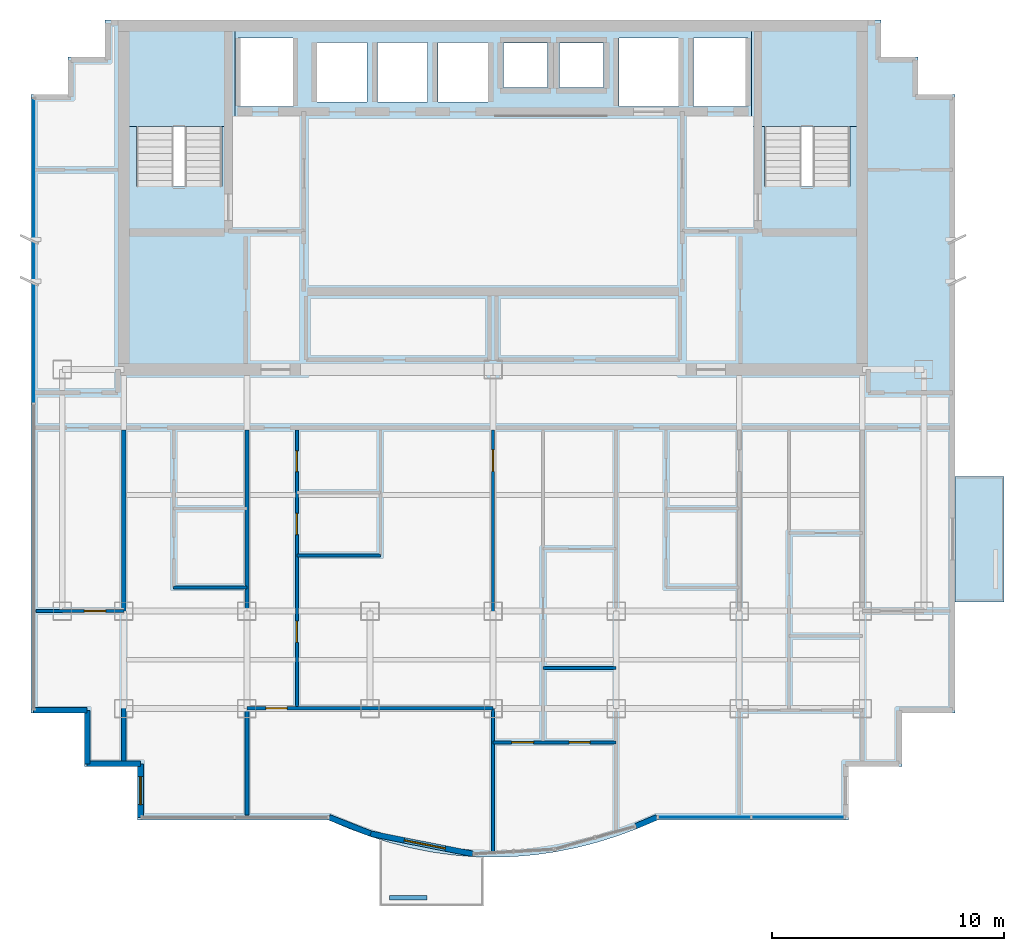
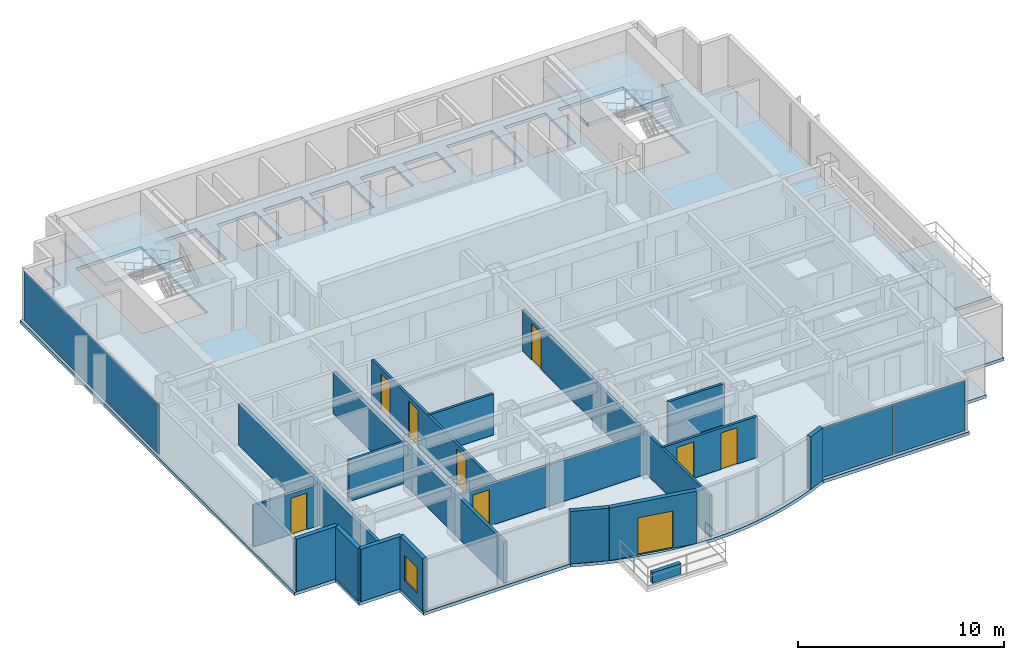
# One storey, part 6 of 11: 18 walls, 9 doors, 4 slabs, 3 plates, 1 window, 10 openings, 4 elements without a shape of their own.
"""IFC4 building model written with IfcOpenShell, lengths in metres."""

from ifc_helpers import new_model, si_unit, direction, frame, frame_2d, origin, origin_2d, place, context, subcontext, project, spatial, polyline, rectangle, outline, extrude, source, transform, mapped, material, layer, layer_set, type_object, element, fill, aggregate, save


model = new_model("IFC4")

# Units and contexts
model_context = context("Model", 3, precision=1e-05, world=origin(), true_north=direction((0.0, 1.0)))
body_context = subcontext(model_context, "Body", "Model", "MODEL_VIEW")
ifc_project = project(units=[si_unit("LENGTHUNIT", "METRE"), si_unit("AREAUNIT", "SQUARE_METRE"), si_unit("VOLUMEUNIT", "CUBIC_METRE"), si_unit("PLANEANGLEUNIT", "RADIAN"), si_unit("MASSUNIT", "GRAM", prefix="KILO")], contexts=[model_context])

# Site, building, storey
site_placement = place(None, origin())
site = spatial("IfcSite", under=ifc_project, at=site_placement, CompositionType="ELEMENT")
building_placement = place(site_placement, origin())
building = spatial("IfcBuilding", under=site, at=building_placement, Name="Qianlan Lanfeng Residences", CompositionType="ELEMENT")
storey_placement = place(building_placement, frame((0.0, 0.0, 206.60009765625)))
storey = spatial("IfcBuildingStorey", under=building, at=storey_placement, Name="L56", CompositionType="ELEMENT", Elevation=206.60009765625)

# Slabs
ifc_material_1 = material(Name="Concrete C42", Category="concrete")
ifc_layer_1 = layer(ifc_material_1, 0.199951171875)
ifc_layer_set_1 = layer_set([ifc_layer_1], Name="Concrete C42")
slab_type_1 = type_object("IfcSlabType", Name="S-BAL-200", PredefinedType="FLOOR", material=ifc_layer_set_1)
slab_1_placement = place(storey_placement, frame((0.0, 0.0, -0.2001953125)))
element("IfcSlab", 1, at=slab_1_placement, inside=storey, type_object=slab_type_1, Name="L56 Planted Tree Balcony Slab EB-S", PredefinedType="FLOOR", context=body_context, shape_type="SweptSolid", body=[
    extrude(outline(polyline([(46.39990234375, 20.60009765625), (46.39990234375, 15.199951171875), (48.5, 15.199951171875), (48.5, 20.60009765625), (46.39990234375, 20.60009765625)])), origin(), (0.0, 0.0, 1.0), 0.2001953125),
])
ifc_layer_2 = layer(ifc_material_1, 0.18994140625)
ifc_layer_set_2 = layer_set([ifc_layer_2], Name="Concrete C42")
slab_type_2 = type_object("IfcSlabType", Name="S-FL-190", PredefinedType="FLOOR", material=ifc_layer_set_2)
slab_2_placement = place(storey_placement, frame((0.0, 0.0, -0.190185546875)))
element("IfcSlab", 2, at=slab_2_placement, inside=storey, type_object=slab_type_2, Name="L56 Structural Floor Slab", PredefinedType="FLOOR", context=body_context, shape_type="SweptSolid", body=[
    extrude(outline(polyline([(6.60009765625, 10.39990234375), (8.89990234375, 10.39990234375), (8.89990234375, 8.10009765625), (11.199951171875, 8.10009765625), (11.199951171875, 5.800048828125), (19.419921875, 5.800048828125), (20.304931640625, 5.425048828125), (21.18994140625, 5.10009765625), (22.074951171875, 4.824951171875), (22.9599609375, 4.60009765625), (23.844970703125, 4.425048828125), (24.72998046875, 4.300048828125), (25.614990234375, 4.22509765625), (26.5, 4.199951171875), (27.385009765625, 4.22509765625), (28.27001953125, 4.300048828125), (29.155029296875, 4.425048828125), (30.0400390625, 4.60009765625), (30.925048828125, 4.824951171875), (31.81005859375, 5.10009765625), (32.695068359375, 5.425048828125), (33.580078125, 5.800048828125), (41.800048828125, 5.800048828125), (41.800048828125, 8.10009765625), (44.10009765625, 8.10009765625), (44.10009765625, 10.39990234375), (46.39990234375, 10.39990234375), (46.39990234375, 37.050048828125), (44.800048828125, 37.050048828125), (44.800048828125, 38.64990234375), (43.199951171875, 38.64990234375), (43.199951171875, 40.25), (9.800048828125, 40.25), (9.800048828125, 38.64990234375), (8.199951171875, 38.64990234375), (8.199951171875, 37.050048828125), (6.60009765625, 37.050048828125), (6.60009765625, 10.39990234375)]), holes=[polyline([(11.139892578125, 33.080078125), (11.139892578125, 39.5), (14.820068359375, 39.5), (14.820068359375, 33.080078125), (11.139892578125, 33.080078125)]), polyline([(38.179931640625, 33.080078125), (38.179931640625, 39.5), (41.860107421875, 39.5), (41.860107421875, 33.080078125), (38.179931640625, 33.080078125)]), polyline([(15.52001953125, 36.52001953125), (15.52001953125, 39.47998046875), (17.8798828125, 39.47998046875), (17.8798828125, 36.52001953125), (15.52001953125, 36.52001953125)]), polyline([(35.1201171875, 36.52001953125), (35.1201171875, 39.47998046875), (37.47998046875, 39.47998046875), (37.47998046875, 36.52001953125), (35.1201171875, 36.52001953125)]), polyline([(31.919921875, 36.52001953125), (31.919921875, 39.47998046875), (34.47998046875, 39.47998046875), (34.47998046875, 36.52001953125), (31.919921875, 36.52001953125)]), polyline([(18.919921875, 36.719970703125), (18.919921875, 39.280029296875), (21.080078125, 39.280029296875), (21.080078125, 36.719970703125), (18.919921875, 36.719970703125)]), polyline([(21.52001953125, 36.719970703125), (21.52001953125, 39.280029296875), (23.679931640625, 39.280029296875), (23.679931640625, 36.719970703125), (21.52001953125, 36.719970703125)]), polyline([(24.1201171875, 36.719970703125), (24.1201171875, 39.280029296875), (26.280029296875, 39.280029296875), (26.280029296875, 36.719970703125), (24.1201171875, 36.719970703125)]), polyline([(26.949951171875, 37.35009765625), (26.949951171875, 39.25), (28.85009765625, 39.25), (28.85009765625, 37.35009765625), (26.949951171875, 37.35009765625)]), polyline([(29.35009765625, 37.35009765625), (29.35009765625, 39.25), (31.25, 39.25), (31.25, 37.35009765625), (29.35009765625, 37.35009765625)])]), origin(), (0.0, 0.0, 1.0), 0.190185546875),
])

# Stair, slab
stair_type = type_object("IfcStairType", Name="STR-MAIN", PredefinedType="HALF_TURN_STAIR", material=ifc_material_1)
stair_1_placement = place(storey_placement, origin())
stair_1 = element("IfcStair", 3, at=stair_1_placement, inside=storey, type_object=stair_type, Name="L56 Exit Stair ST-1", PredefinedType="HALF_TURN_STAIR")
ifc_layer_3 = layer(ifc_material_1, 0.179931640625)
ifc_layer_set_3 = layer_set([ifc_layer_3], Name="Concrete C42")
slab_type_3 = type_object("IfcSlabType", Name="S-LND-180", PredefinedType="LANDING", material=ifc_layer_set_3)
slab_3_placement = place(storey_placement, frame((0.0, 0.0, 1.449951171875)))
slab_3 = element("IfcSlab", 4, at=slab_3_placement, type_object=slab_type_3, Name="ST-1 landing 1", PredefinedType="LANDING", context=body_context, shape_type="SweptSolid", body=[
    extrude(outline(polyline([(10.580078125, 35.659912109375), (15.3798828125, 35.659912109375), (15.3798828125, 40.050048828125), (10.580078125, 40.050048828125), (10.580078125, 35.659912109375)])), origin(), (0.0, 0.0, 1.0), 0.199951171875),
])
aggregate(stair_1, [slab_3])

stair_2_placement = place(storey_placement, origin())
stair_2 = element("IfcStair", 5, at=stair_2_placement, inside=storey, type_object=stair_type, Name="L56 Exit Stair ST-2", PredefinedType="HALF_TURN_STAIR")
slab_4_placement = place(storey_placement, frame((0.0, 0.0, 1.449951171875)))
slab_4 = element("IfcSlab", 6, at=slab_4_placement, type_object=slab_type_3, Name="ST-2 landing 1", PredefinedType="LANDING", context=body_context, shape_type="SweptSolid", body=[
    extrude(outline(polyline([(37.6201171875, 35.659912109375), (42.419921875, 35.659912109375), (42.419921875, 40.050048828125), (37.6201171875, 40.050048828125), (37.6201171875, 35.659912109375)])), origin(), (0.0, 0.0, 1.0), 0.199951171875),
])
aggregate(stair_2, [slab_4])

# Curtain wall, plate
ifc_material_2 = material(Name="Anodised Bronze Aluminium 6063-T6", Category="aluminium")
ifc_layer_4 = layer(ifc_material_2, 0.219970703125)
ifc_layer_set_4 = layer_set([ifc_layer_4], Name="Anodised Bronze Aluminium 6063-T6")
curtain_wall_type = type_object("IfcCurtainWallType", Name="CW-05", PredefinedType="NOTDEFINED", material=ifc_layer_set_4)
curtain_wall_1_placement = place(storey_placement, origin())
curtain_wall_1 = element("IfcCurtainWall", 7, at=curtain_wall_1_placement, inside=storey, type_object=curtain_wall_type, Name="L56 Unitised Curtain Wall CWR-L56-04 (CW-05)", PredefinedType="NOTDEFINED")
ifc_material_3 = material(Name="Dark Bronze Tinted Insulated Glass", Category="glass")
ifc_layer_5 = layer(ifc_material_3, 0.0380859375)
ifc_layer_set_5 = layer_set([ifc_layer_5], Name="Dark Bronze Tinted Insulated Glass")
plate_type_1 = type_object("IfcPlateType", Name="PNL-GLZ-BRZ", PredefinedType="CURTAIN_PANEL", material=ifc_layer_set_5)
shared_shape_1 = source(origin(), body_context, "Body", "SweptSolid", [
    extrude(rectangle(XDim=3.951416015625, YDim=0.0380859375, at=origin_2d()), origin(), (0.0, 0.0, 1.0), 2.9619140625),
])
plate_1_placement = place(storey_placement, frame((35.605712890625, 5.919921875, 0.073974609375), z_axis=(0.0, 0.0, 1.0), x_axis=(1.0, 0.0, 0.0)))
plate_1 = element("IfcPlate", 8, at=plate_1_placement, type_object=plate_type_1, Name="CWR-L56-04 Curtain Panel 1", PredefinedType="CURTAIN_PANEL", context=body_context, shape_type="MappedRepresentation", body=[
    mapped(shared_shape_1, transform((0.0, 0.0, 0.0), scale=1.0)),
])

curtain_wall_2_placement = place(storey_placement, origin())
curtain_wall_2 = element("IfcCurtainWall", 9, at=curtain_wall_2_placement, inside=storey, type_object=curtain_wall_type, Name="L56 Unitised Curtain Wall CWR-L56-05 (CW-05)", PredefinedType="NOTDEFINED")
shared_shape_2 = source(origin(), body_context, "Body", "SweptSolid", [
    extrude(rectangle(XDim=13.094482421875, YDim=0.0380859375, at=origin_2d()), origin(), (0.0, 0.0, 1.0), 2.9619140625),
])
plate_2_placement = place(storey_placement, frame((6.719970703125, 30.30859375, 0.073974609375), z_axis=(0.0, 0.0, 1.0), x_axis=(0.0, -1.0, 0.0)))
plate_2 = element("IfcPlate", 10, at=plate_2_placement, type_object=plate_type_1, Name="CWR-L56-05 Curtain Panel 1", PredefinedType="CURTAIN_PANEL", context=body_context, shape_type="MappedRepresentation", body=[
    mapped(shared_shape_2, transform((0.0, 0.0, 0.0), scale=1.0)),
])
aggregate(curtain_wall_2, [plate_2])

# Plate
ifc_material_4 = material(Name="Perforated Champagne Gold Aluminium Panel", Category="aluminium")
ifc_layer_6 = layer(ifc_material_4, 0.0400390625)
ifc_layer_set_6 = layer_set([ifc_layer_6], Name="Perforated Champagne Gold Aluminium Panel")
plate_type_2 = type_object("IfcPlateType", Name="PNL-PRF-GLD", PredefinedType="CURTAIN_PANEL", material=ifc_layer_set_6)
shared_shape_3 = source(origin(), body_context, "Body", "SweptSolid", [
    extrude(rectangle(XDim=3.951416015625, YDim=0.0400390625, at=origin_2d()), origin(), (0.0, 0.0, 1.0), 2.9619140625),
])
plate_3_placement = place(storey_placement, frame((39.630126953125, 5.919921875, 0.073974609375), z_axis=(0.0, 0.0, 1.0), x_axis=(1.0, 0.0, 0.0)))
plate_3 = element("IfcPlate", 11, at=plate_3_placement, type_object=plate_type_2, Name="CWR-L56-04 Curtain Panel 2", PredefinedType="CURTAIN_PANEL", context=body_context, shape_type="MappedRepresentation", body=[
    mapped(shared_shape_3, transform((0.0, 0.0, 0.0), scale=1.0)),
])

aggregate(curtain_wall_1, [plate_1, plate_3])

# Walls
ifc_layer_7 = layer(ifc_material_1, 0.239990234375)
ifc_layer_set_7 = layer_set([ifc_layer_7], Name="Concrete C42")
wall_type_1 = type_object("IfcWallType", Name="EW-240", PredefinedType="SOLIDWALL", material=ifc_layer_set_7)
for number, where, z_axis, x_axis, name in (
    (12, (6.719970703125, 10.52001953125, 0.0), (0.0, 0.0, 1.0), (1.0, 0.0, 0.0), "L56 Exterior Facade Spandrel Wall 1"),
    (13, (9.02001953125, 10.52001953125, 0.0), (0.0, 0.0, 1.0), (0.0, -1.0, 0.0), "L56 Exterior Facade Spandrel Wall 2"),
    (14, (9.02001953125, 8.219970703125, 0.0), (0.0, 0.0, 1.0), (1.0, 0.0, 0.0), "L56 Exterior Facade Spandrel Wall 3"),
):
    element("IfcWall", number, at=place(storey_placement, frame(where, z_axis=z_axis, x_axis=x_axis)), inside=storey, type_object=wall_type_1, Name=name, PredefinedType="SOLIDWALL", context=body_context, shape_type="SweptSolid", body=[
        extrude(rectangle(XDim=2.300048828125, YDim=0.239990234375, at=frame_2d((1.14990234375, 0.0))), origin(), (0.0, 0.0, 1.0), 3.10986328125),
    ])

# Wall, opening, window
wall_1_placement = place(storey_placement, frame((11.320068359375, 8.219970703125, 0.0), z_axis=(0.0, 0.0, 1.0), x_axis=(0.0, -1.0, 0.0)))
wall_1 = element("IfcWall", 15, at=wall_1_placement, inside=storey, type_object=wall_type_1, Name="L56 Exterior Facade Spandrel Wall 4", PredefinedType="SOLIDWALL", context=body_context, shape_type="SweptSolid", body=[
    extrude(rectangle(XDim=2.300048828125, YDim=0.239990234375, at=frame_2d((1.14990234375, 0.0))), origin(), (0.0, 0.0, 1.0), 3.10986328125),
])
opening_1_placement = place(wall_1_placement, frame((0.550048828125, 0.0, 0.75)))
opening_1 = element("IfcOpeningElement", 16, at=opening_1_placement, cuts=wall_1, Name="Opening W-03", PredefinedType="OPENING", context=body_context, shape_type="SweptSolid", body=[
    extrude(rectangle(XDim=1.199951171875, YDim=1.5, at=frame_2d((0.60009765625, 0.75))), frame((0.0, 0.1298828125, 0.0), z_axis=(0.0, -1.0, 0.0), x_axis=(1.0, 0.0, 0.0)), (0.0, 0.0, 1.0), 0.260009765625),
])
ifc_material_5 = material(Name="Anodised Bronze Aluminium Framed Double Glazing", Category="aluminium")
window_type = type_object("IfcWindowType", Name="W-03", PartitioningType="SINGLE_PANEL", PredefinedType="WINDOW", material=ifc_material_5)
window_placement = place(opening_1_placement, origin())
window = element("IfcWindow", 17, at=window_placement, inside=storey, type_object=window_type, Name="L56 Facade Punched Window W-03", OverallHeight=1.5, OverallWidth=1.199951171875, PartitioningType="SINGLE_PANEL", PredefinedType="WINDOW", context=body_context, shape_type="SweptSolid", body=[
    extrude(rectangle(XDim=1.199951171875, YDim=1.5, at=frame_2d((0.60009765625, 0.75))), frame((0.0, 0.030029296875, 0.0), z_axis=(0.0, -1.0, 0.0), x_axis=(1.0, 0.0, 0.0)), (0.0, 0.0, 1.0), 0.06005859375),
])
fill(opening_1, window)

# Wall
wall_2_placement = place(storey_placement, frame((19.444091796875, 5.919921875, 0.0), z_axis=(0.0, 0.0, 1.0), x_axis=(0.92993442177, -0.367725401906, 0.0)))
element("IfcWall", 18, at=wall_2_placement, inside=storey, type_object=wall_type_1, Name="L56 Exterior Facade Spandrel Wall 5", PredefinedType="SOLIDWALL", context=body_context, shape_type="SweptSolid", body=[
    extrude(rectangle(XDim=1.91943359375, YDim=0.239990234375, at=frame_2d((0.959716796875, 0.0))), origin(), (0.0, 0.0, 1.0), 3.10986328125),
])

# Wall, opening, door
wall_3_placement = place(storey_placement, frame((21.22900390625, 5.214111328125, 0.0), z_axis=(0.0, 0.0, 1.0), x_axis=(0.980985349685, -0.194081796425, 0.0)))
wall_3 = element("IfcWall", 19, at=wall_3_placement, inside=storey, type_object=wall_type_1, Name="L56 Terrace/Balcony Access Exterior Wall 6", PredefinedType="SOLIDWALL", context=body_context, shape_type="SweptSolid", body=[
    extrude(rectangle(XDim=4.478271484375, YDim=0.239990234375, at=frame_2d((2.2392578125, 0.0))), origin(), (0.0, 0.0, 1.0), 3.10986328125),
])
opening_2_placement = place(wall_3_placement, frame((1.472900390625, 0.0, 0.0)))
opening_2 = element("IfcOpeningElement", 20, at=opening_2_placement, cuts=wall_3, Name="Opening L56-D-SB-C", PredefinedType="OPENING", context=body_context, shape_type="SweptSolid", body=[
    extrude(rectangle(XDim=1.800048828125, YDim=2.199951171875, at=frame_2d((0.89990234375, 1.10009765625))), frame((0.0, 0.1298828125, 0.0), z_axis=(0.0, -1.0, 0.0), x_axis=(1.0, 0.0, 0.0)), (0.0, 0.0, 1.0), 0.260009765625),
])
ifc_material_6 = material(Name="Anodised Bronze Aluminium Framed Glass", Category="aluminium")
door_type_1 = type_object("IfcDoorType", Name="DT-BAL1", OperationType="NOTDEFINED", PredefinedType="DOOR", material=ifc_material_6)
door_1_placement = place(opening_2_placement, frame((1.800048828125, 0.0, 0.0), z_axis=(0.0, 0.0, 1.0), x_axis=(-1.0, 0.0, 0.0)))
door_1 = element("IfcDoor", 21, at=door_1_placement, inside=storey, type_object=door_type_1, Name="L56 Exterior Access Door SB-C", OperationType="DOUBLE_DOOR_SLIDING", OverallHeight=2.199951171875, OverallWidth=1.800048828125, PredefinedType="DOOR", context=body_context, shape_type="SweptSolid", body=[
    extrude(rectangle(XDim=1.800048828125, YDim=2.199951171875, at=frame_2d((0.89990234375, 1.10009765625))), frame((0.0, 0.02490234375, 0.0), z_axis=(0.0, -1.0, 0.0), x_axis=(1.0, 0.0, 0.0)), (0.0, 0.0, 1.0), 0.050048828125),
])
fill(opening_2, door_1)

# Walls
wall_4_placement = place(storey_placement, frame((32.65087890625, 5.537109375, 0.0), z_axis=(0.0, 0.0, 1.0), x_axis=(0.920998109395, 0.389567044924, 0.0)))
element("IfcWall", 22, at=wall_4_placement, inside=storey, type_object=wall_type_1, Name="L56 Exterior Facade Spandrel Wall 7", PredefinedType="SOLIDWALL", context=body_context, shape_type="SweptSolid", body=[
    extrude(rectangle(XDim=0.982666015625, YDim=0.239990234375, at=frame_2d((0.4912109375, 0.0))), origin(), (0.0, 0.0, 1.0), 3.10986328125),
])
ifc_layer_8 = layer(ifc_material_1, 0.199951171875)
ifc_layer_set_8 = layer_set([ifc_layer_8], Name="Concrete C42")
wall_type_2 = type_object("IfcWallType", Name="PL-TREE-200", PredefinedType="PARAPET", material=ifc_layer_set_8)
wall_5_placement = place(storey_placement, frame((22.050048828125, 2.449951171875, 0.0), z_axis=(0.0, 0.0, 1.0), x_axis=(1.0, 0.0, 0.0)))
element("IfcWall", 23, at=wall_5_placement, inside=storey, type_object=wall_type_2, Name="L56 Balcony Tree Planter Curb SB-C", PredefinedType="PARAPET", context=body_context, shape_type="SweptSolid", body=[
    extrude(rectangle(XDim=1.599853515625, YDim=0.199951171875, at=frame_2d((0.7998046875, 0.0))), origin(), (0.0, 0.0, 1.0), 0.64990234375),
])
ifc_material_7 = material(Name="Moisture-Resistant Gypsum Partition 135 mm")
ifc_layer_9 = layer(ifc_material_7, 0.135009765625)
ifc_layer_set_9 = layer_set([ifc_layer_9], Name="Moisture-Resistant Gypsum Partition 135 mm")
wall_type_3 = type_object("IfcWallType", Name="PW-135", PredefinedType="PARTITIONING", material=ifc_layer_set_9)
wall_6_placement = place(storey_placement, frame((12.75, 15.820068359375, 0.0), z_axis=(0.0, 0.0, 1.0), x_axis=(1.0, 0.0, 0.0)))
element("IfcWall", 24, at=wall_6_placement, inside=storey, type_object=wall_type_3, Name="L56 U01 Kitchen South Wall", PredefinedType="PARTITIONING", context=body_context, shape_type="SweptSolid", body=[
    extrude(rectangle(XDim=3.14990234375, YDim=0.135009765625, at=frame_2d((1.574951171875, 0.0))), origin(), (0.0, 0.0, 1.0), 2.429931640625),
])

# Wall, opening, door
wall_7_placement = place(storey_placement, frame((26.5, 4.419921875, 0.0), z_axis=(0.0, 0.0, 1.0), x_axis=(0.0, 1.0, 0.0)))
wall_7 = element("IfcWall", 25, at=wall_7_placement, inside=storey, type_object=wall_type_3, Name="L56 U02 Bay Spine Wall 1", PredefinedType="PARTITIONING", context=body_context, shape_type="SweptSolid", body=[
    extrude(rectangle(XDim=18.18017578125, YDim=0.135009765625, at=frame_2d((9.090087890625, 0.0))), origin(), (0.0, 0.0, 1.0), 2.429931640625),
])
opening_3_placement = place(wall_7_placement, frame((16.39501953125, 0.0, 0.0)))
opening_3 = element("IfcOpeningElement", 26, at=opening_3_placement, cuts=wall_7, Name="Opening L56-D19", PredefinedType="OPENING", context=body_context, shape_type="SweptSolid", body=[
    extrude(rectangle(XDim=0.919921875, YDim=2.14990234375, at=frame_2d((0.4599609375, 1.074951171875))), frame((0.0, 0.07763671875, 0.0), z_axis=(0.0, -1.0, 0.0), x_axis=(1.0, 0.0, 0.0)), (0.0, 0.0, 1.0), 0.155029296875),
])
ifc_material_8 = material(Name="Glazed Timber Kitchen/Study Door", Category="wood")
door_type_2 = type_object("IfcDoorType", Name="DT-INT", OperationType="NOTDEFINED", PredefinedType="DOOR", material=ifc_material_8)
door_2_placement = place(opening_3_placement, origin())
door_2 = element("IfcDoor", 27, at=door_2_placement, inside=storey, type_object=door_type_2, Name="L56 U02 Internal Hall Door L56-D19 (DT-INT)", OperationType="SINGLE_SWING_RIGHT", OverallHeight=2.14990234375, OverallWidth=0.919921875, PredefinedType="DOOR", context=body_context, shape_type="SweptSolid", body=[
    extrude(rectangle(XDim=0.919921875, YDim=2.14990234375, at=frame_2d((0.4599609375, 1.074951171875))), frame((0.0, 0.02490234375, 0.0), z_axis=(0.0, -1.0, 0.0), x_axis=(1.0, 0.0, 0.0)), (0.0, 0.0, 1.0), 0.050048828125),
])
fill(opening_3, door_2)

wall_8_placement = place(storey_placement, frame((15.89990234375, 10.614013671875, 0.0), z_axis=(0.0, 0.0, 1.0), x_axis=(1.0, 0.0, 0.0)))
wall_8 = element("IfcWall", 28, at=wall_8_placement, inside=storey, type_object=wall_type_3, Name="L56 U02 Living Divider", PredefinedType="PARTITIONING", context=body_context, shape_type="SweptSolid", body=[
    extrude(rectangle(XDim=10.60009765625, YDim=0.135009765625, at=frame_2d((5.300048828125, 0.0))), origin(), (0.0, 0.0, 1.0), 2.429931640625),
])
opening_4_placement = place(wall_8_placement, frame((0.81494140625, 0.0, 0.0)))
opening_4 = element("IfcOpeningElement", 29, at=opening_4_placement, cuts=wall_8, Name="Opening L56-D20", PredefinedType="OPENING", context=body_context, shape_type="SweptSolid", body=[
    extrude(rectangle(XDim=0.919921875, YDim=2.14990234375, at=frame_2d((0.4599609375, 1.074951171875))), frame((0.0, 0.07763671875, 0.0), z_axis=(0.0, -1.0, 0.0), x_axis=(1.0, 0.0, 0.0)), (0.0, 0.0, 1.0), 0.155029296875),
])
door_3_placement = place(opening_4_placement, origin())
door_3 = element("IfcDoor", 30, at=door_3_placement, inside=storey, type_object=door_type_2, Name="L56 U02 Living Passage Door L56-D20 (DT-INT)", OperationType="SINGLE_SWING_RIGHT", OverallHeight=2.14990234375, OverallWidth=0.919921875, PredefinedType="DOOR", context=body_context, shape_type="SweptSolid", body=[
    extrude(rectangle(XDim=0.919921875, YDim=2.14990234375, at=frame_2d((0.4599609375, 1.074951171875))), frame((0.0, 0.02490234375, 0.0), z_axis=(0.0, -1.0, 0.0), x_axis=(1.0, 0.0, 0.0)), (0.0, 0.0, 1.0), 0.050048828125),
])
fill(opening_4, door_3)

# Wall, openings, doors
wall_9_placement = place(storey_placement, frame((18.050048828125, 10.614013671875, 0.0), z_axis=(0.0, 0.0, 1.0), x_axis=(0.0, 1.0, 0.0)))
wall_9 = element("IfcWall", 31, at=wall_9_placement, inside=storey, type_object=wall_type_3, Name="L56 U02 Entry Hall Spine", PredefinedType="PARTITIONING", context=body_context, shape_type="SweptSolid", body=[
    extrude(rectangle(XDim=11.986083984375, YDim=0.135009765625, at=frame_2d((5.9931640625, 0.0))), origin(), (0.0, 0.0, 1.0), 2.429931640625),
])
opening_5_placement = place(wall_9_placement, frame((2.8330078125, 0.0, 0.0)))
opening_5 = element("IfcOpeningElement", 32, at=opening_5_placement, cuts=wall_9, Name="Opening L56-D21", PredefinedType="OPENING", context=body_context, shape_type="SweptSolid", body=[
    extrude(rectangle(XDim=0.919921875, YDim=2.14990234375, at=frame_2d((0.4599609375, 1.074951171875))), frame((0.0, 0.07763671875, 0.0), z_axis=(0.0, -1.0, 0.0), x_axis=(1.0, 0.0, 0.0)), (0.0, 0.0, 1.0), 0.155029296875),
])
opening_6_placement = place(wall_9_placement, frame((7.47607421875, 0.0, 0.0)))
opening_6 = element("IfcOpeningElement", 33, at=opening_6_placement, cuts=wall_9, Name="Opening L56-D22", PredefinedType="OPENING", context=body_context, shape_type="SweptSolid", body=[
    extrude(rectangle(XDim=0.919921875, YDim=2.14990234375, at=frame_2d((0.4599609375, 1.074951171875))), frame((0.0, 0.07763671875, 0.0), z_axis=(0.0, -1.0, 0.0), x_axis=(1.0, 0.0, 0.0)), (0.0, 0.0, 1.0), 0.155029296875),
])
opening_7_placement = place(wall_9_placement, frame((10.18603515625, 0.0, 0.0)))
opening_7 = element("IfcOpeningElement", 34, at=opening_7_placement, cuts=wall_9, Name="Opening L56-D23", PredefinedType="OPENING", context=body_context, shape_type="SweptSolid", body=[
    extrude(rectangle(XDim=0.89990234375, YDim=2.14990234375, at=frame_2d((0.449951171875, 1.074951171875))), frame((0.0, 0.07763671875, 0.0), z_axis=(0.0, -1.0, 0.0), x_axis=(1.0, 0.0, 0.0)), (0.0, 0.0, 1.0), 0.155029296875),
])
door_4_placement = place(opening_5_placement, origin())
door_4 = element("IfcDoor", 35, at=door_4_placement, inside=storey, type_object=door_type_2, Name="L56 U02 Study Door L56-D21 (DT-INT)", OperationType="SINGLE_SWING_RIGHT", OverallHeight=2.14990234375, OverallWidth=0.919921875, PredefinedType="DOOR", context=body_context, shape_type="SweptSolid", body=[
    extrude(rectangle(XDim=0.919921875, YDim=2.14990234375, at=frame_2d((0.4599609375, 1.074951171875))), frame((0.0, 0.02490234375, 0.0), z_axis=(0.0, -1.0, 0.0), x_axis=(1.0, 0.0, 0.0)), (0.0, 0.0, 1.0), 0.050048828125),
])
fill(opening_5, door_4)
door_5_placement = place(opening_6_placement, origin())
door_5 = element("IfcDoor", 36, at=door_5_placement, inside=storey, type_object=door_type_2, Name="L56 U02 Kitchen Door L56-D22 (DT-INT)", OperationType="SINGLE_SWING_LEFT", OverallHeight=2.14990234375, OverallWidth=0.919921875, PredefinedType="DOOR", context=body_context, shape_type="SweptSolid", body=[
    extrude(rectangle(XDim=0.919921875, YDim=2.14990234375, at=frame_2d((0.4599609375, 1.074951171875))), frame((0.0, 0.02490234375, 0.0), z_axis=(0.0, -1.0, 0.0), x_axis=(1.0, 0.0, 0.0)), (0.0, 0.0, 1.0), 0.050048828125),
])
fill(opening_6, door_5)
ifc_material_9 = material(Name="Moisture-Resistant Timber Leaf", Category="wood")
door_type_3 = type_object("IfcDoorType", Name="DT-WC", OperationType="NOTDEFINED", PredefinedType="DOOR", material=ifc_material_9)
door_6_placement = place(opening_7_placement, origin())
door_6 = element("IfcDoor", 37, at=door_6_placement, inside=storey, type_object=door_type_3, Name="L56 U02 Bathroom Door L56-D23 (DT-WC)", OperationType="SINGLE_SWING_RIGHT", OverallHeight=2.14990234375, OverallWidth=0.89990234375, PredefinedType="DOOR", context=body_context, shape_type="SweptSolid", body=[
    extrude(rectangle(XDim=0.89990234375, YDim=2.14990234375, at=frame_2d((0.449951171875, 1.074951171875))), frame((0.0, 0.02490234375, 0.0), z_axis=(0.0, -1.0, 0.0), x_axis=(1.0, 0.0, 0.0)), (0.0, 0.0, 1.0), 0.050048828125),
])
fill(opening_7, door_6)

# Wall
wall_10_placement = place(storey_placement, frame((18.050048828125, 17.199951171875, 0.0), z_axis=(0.0, 0.0, 1.0), x_axis=(1.0, 0.0, 0.0)))
element("IfcWall", 38, at=wall_10_placement, inside=storey, type_object=wall_type_3, Name="L56 U02 Kitchen South Wall", PredefinedType="PARTITIONING", context=body_context, shape_type="SweptSolid", body=[
    extrude(rectangle(XDim=3.599853515625, YDim=0.135009765625, at=frame_2d((1.7998046875, 0.0))), origin(), (0.0, 0.0, 1.0), 2.429931640625),
])

# Wall, openings, doors
wall_11_placement = place(storey_placement, frame((26.5, 9.14794921875, 0.0), z_axis=(0.0, 0.0, 1.0), x_axis=(1.0, 0.0, 0.0)))
wall_11 = element("IfcWall", 39, at=wall_11_placement, inside=storey, type_object=wall_type_3, Name="L56 U02 Master Bedroom North Wall", PredefinedType="PARTITIONING", context=body_context, shape_type="SweptSolid", body=[
    extrude(rectangle(XDim=5.300048828125, YDim=0.135009765625, at=frame_2d((2.64990234375, 0.0))), origin(), (0.0, 0.0, 1.0), 2.429931640625),
])
opening_8_placement = place(wall_11_placement, frame((0.800048828125, 0.0, 0.0)))
opening_8 = element("IfcOpeningElement", 40, at=opening_8_placement, cuts=wall_11, Name="Opening L56-D24", PredefinedType="OPENING", context=body_context, shape_type="SweptSolid", body=[
    extrude(rectangle(XDim=0.949951171875, YDim=2.14990234375, at=frame_2d((0.47509765625, 1.074951171875))), frame((0.0, 0.07763671875, 0.0), z_axis=(0.0, -1.0, 0.0), x_axis=(1.0, 0.0, 0.0)), (0.0, 0.0, 1.0), 0.155029296875),
])
opening_9_placement = place(wall_11_placement, frame((3.27490234375, 0.0, 0.0)))
opening_9 = element("IfcOpeningElement", 41, at=opening_9_placement, cuts=wall_11, Name="Opening L56-D25", PredefinedType="OPENING", context=body_context, shape_type="SweptSolid", body=[
    extrude(rectangle(XDim=0.89990234375, YDim=2.14990234375, at=frame_2d((0.449951171875, 1.074951171875))), frame((0.0, 0.07763671875, 0.0), z_axis=(0.0, -1.0, 0.0), x_axis=(1.0, 0.0, 0.0)), (0.0, 0.0, 1.0), 0.155029296875),
])
ifc_material_10 = material(Name="Painted Solid-Core Timber Leaf", Category="wood")
door_type_4 = type_object("IfcDoorType", Name="DT-BED", OperationType="NOTDEFINED", PredefinedType="DOOR", material=ifc_material_10)
door_7_placement = place(opening_8_placement, origin())
door_7 = element("IfcDoor", 42, at=door_7_placement, inside=storey, type_object=door_type_4, Name="L56 U02 Master Bedroom Door L56-D24 (DT-BED)", OperationType="SINGLE_SWING_LEFT", OverallHeight=2.14990234375, OverallWidth=0.949951171875, PredefinedType="DOOR", context=body_context, shape_type="SweptSolid", body=[
    extrude(rectangle(XDim=0.949951171875, YDim=2.14990234375, at=frame_2d((0.47509765625, 1.074951171875))), frame((0.0, 0.02490234375, 0.0), z_axis=(0.0, -1.0, 0.0), x_axis=(1.0, 0.0, 0.0)), (0.0, 0.0, 1.0), 0.050048828125),
])
fill(opening_8, door_7)
door_8_placement = place(opening_9_placement, origin())
door_8 = element("IfcDoor", 43, at=door_8_placement, inside=storey, type_object=door_type_3, Name="L56 U02 En-Suite Bathroom Door L56-D25 (DT-WC)", OperationType="SINGLE_SWING_RIGHT", OverallHeight=2.14990234375, OverallWidth=0.89990234375, PredefinedType="DOOR", context=body_context, shape_type="SweptSolid", body=[
    extrude(rectangle(XDim=0.89990234375, YDim=2.14990234375, at=frame_2d((0.449951171875, 1.074951171875))), frame((0.0, 0.02490234375, 0.0), z_axis=(0.0, -1.0, 0.0), x_axis=(1.0, 0.0, 0.0)), (0.0, 0.0, 1.0), 0.050048828125),
])
fill(opening_9, door_8)

# Wall
wall_12_placement = place(storey_placement, frame((28.64990234375, 12.347900390625, 0.0), z_axis=(0.0, 0.0, 1.0), x_axis=(1.0, 0.0, 0.0)))
element("IfcWall", 44, at=wall_12_placement, inside=storey, type_object=wall_type_3, Name="L56 U02 En-Suite North Wall", PredefinedType="PARTITIONING", context=body_context, shape_type="SweptSolid", body=[
    extrude(rectangle(XDim=3.150146484375, YDim=0.135009765625, at=frame_2d((1.5751953125, 0.0))), origin(), (0.0, 0.0, 1.0), 2.429931640625),
])

# Wall, opening, door
wall_13_placement = place(storey_placement, frame((6.820068359375, 14.800048828125, 0.0), z_axis=(0.0, 0.0, 1.0), x_axis=(1.0, 0.0, 0.0)))
wall_13 = element("IfcWall", 45, at=wall_13_placement, inside=storey, type_object=wall_type_3, Name="L56 SWP Mid Partition", PredefinedType="PARTITIONING", context=body_context, shape_type="SweptSolid", body=[
    extrude(rectangle(XDim=3.780029296875, YDim=0.135009765625, at=frame_2d((1.89013671875, 0.0))), origin(), (0.0, 0.0, 1.0), 2.429931640625),
])
opening_10_placement = place(wall_13_placement, frame((2.080078125, 0.0, 0.0)))
opening_10 = element("IfcOpeningElement", 46, at=opening_10_placement, cuts=wall_13, Name="Opening L56-D36", PredefinedType="OPENING", context=body_context, shape_type="SweptSolid", body=[
    extrude(rectangle(XDim=0.919921875, YDim=2.14990234375, at=frame_2d((0.4599609375, 1.074951171875))), frame((0.0, 0.07763671875, 0.0), z_axis=(0.0, -1.0, 0.0), x_axis=(1.0, 0.0, 0.0)), (0.0, 0.0, 1.0), 0.155029296875),
])
door_9_placement = place(opening_10_placement, origin())
door_9 = element("IfcDoor", 47, at=door_9_placement, inside=storey, type_object=door_type_2, Name="L56 SWP Inner Door L56-D36 (DT-INT)", OperationType="SINGLE_SWING_LEFT", OverallHeight=2.14990234375, OverallWidth=0.919921875, PredefinedType="DOOR", context=body_context, shape_type="SweptSolid", body=[
    extrude(rectangle(XDim=0.919921875, YDim=2.14990234375, at=frame_2d((0.4599609375, 1.074951171875))), frame((0.0, 0.02490234375, 0.0), z_axis=(0.0, -1.0, 0.0), x_axis=(1.0, 0.0, 0.0)), (0.0, 0.0, 1.0), 0.050048828125),
])
fill(opening_10, door_9)

# Walls
ifc_material_11 = material(Name="Double-Layer Acoustic Gypsum Stud Wall 180 mm")
ifc_layer_10 = layer(ifc_material_11, 0.179931640625)
ifc_layer_set_10 = layer_set([ifc_layer_10], Name="Double-Layer Acoustic Gypsum Stud Wall 180 mm")
wall_type_4 = type_object("IfcWallType", Name="PW-180", PredefinedType="PARTITIONING", material=ifc_layer_set_10)
wall_14_placement = place(storey_placement, frame((10.60009765625, 8.320068359375, 0.0), z_axis=(0.0, 0.0, 1.0), x_axis=(0.0, 1.0, 0.0)))
element("IfcWall", 48, at=wall_14_placement, inside=storey, type_object=wall_type_4, Name="L56 Wing Boundary Party Wall W0", PredefinedType="PARTITIONING", context=body_context, shape_type="SweptSolid", body=[
    extrude(rectangle(XDim=14.280029296875, YDim=0.179931640625, at=frame_2d((7.14013671875, 0.0))), origin(), (0.0, 0.0, 1.0), 2.429931640625),
])
wall_15_placement = place(storey_placement, frame((15.89990234375, 6.02001953125, 0.0), z_axis=(0.0, 0.0, 1.0), x_axis=(0.0, 1.0, 0.0)))
element("IfcWall", 49, at=wall_15_placement, inside=storey, type_object=wall_type_4, Name="L56 Inter-Tenancy Party Wall 2", PredefinedType="PARTITIONING", context=body_context, shape_type="SweptSolid", body=[
    extrude(rectangle(XDim=16.580078125, YDim=0.179931640625, at=frame_2d((8.2900390625, 0.0))), origin(), (0.0, 0.0, 1.0), 2.429931640625),
])

save(model, "model.ifc")
